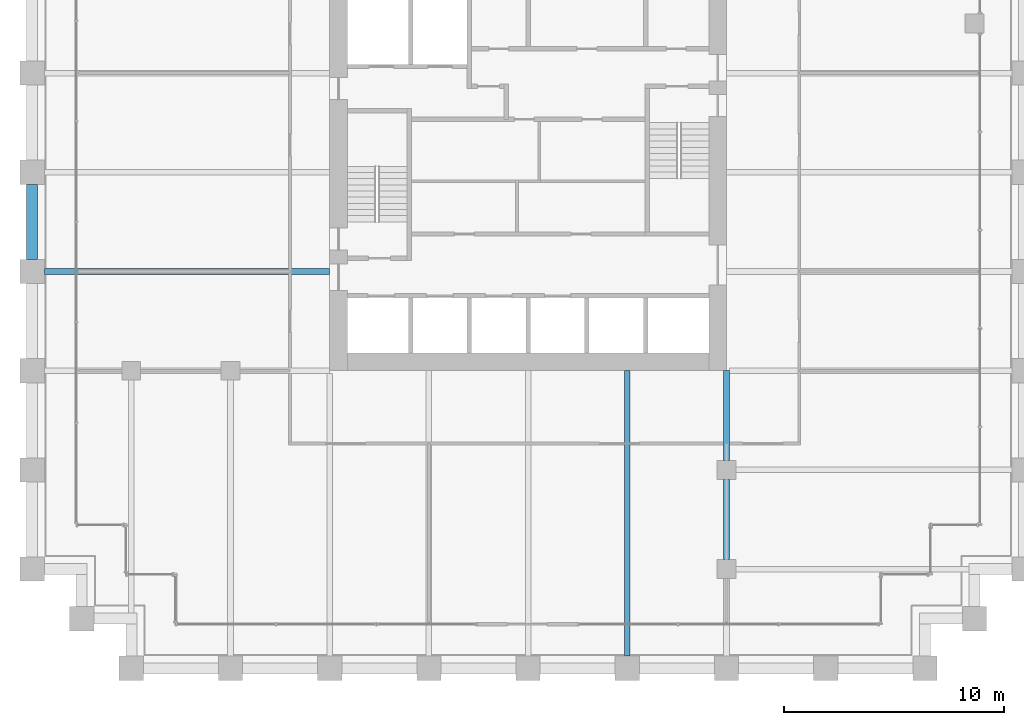
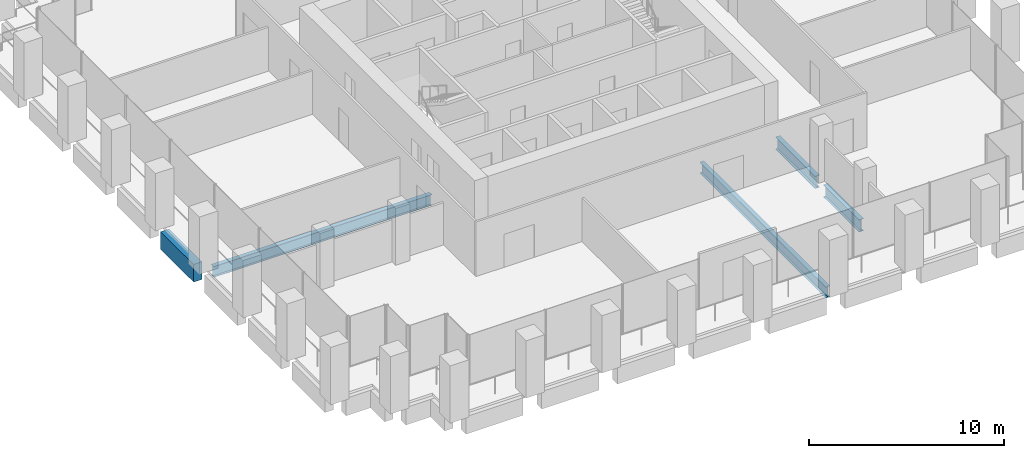
# One storey, part 10 of 56: 5 beams.
"""IFC4 building model written with IfcOpenShell, lengths in metres."""

from ifc_helpers import new_model, si_unit, direction, frame, origin, origin_2d, place, context, subcontext, project, spatial, rectangle, i_section, extrude, material, material_profile, profile_set, type_object, element, save


model = new_model("IFC4")

# Units and contexts
model_context = context("Model", 3, precision=1e-05, world=origin(), true_north=direction((0.0, 1.0)))
body_context = subcontext(model_context, "Body", "Model", "MODEL_VIEW")
ifc_project = project(units=[si_unit("LENGTHUNIT", "METRE"), si_unit("AREAUNIT", "SQUARE_METRE"), si_unit("VOLUMEUNIT", "CUBIC_METRE"), si_unit("PLANEANGLEUNIT", "RADIAN"), si_unit("MASSUNIT", "GRAM", prefix="KILO")], contexts=[model_context])

# Site, building, storey
site_placement = place(None, origin())
site = spatial("IfcSite", under=ifc_project, at=site_placement, CompositionType="ELEMENT")
building_placement = place(site_placement, origin())
building = spatial("IfcBuilding", under=site, at=building_placement, Name="Altepetl Exchange Towers", CompositionType="ELEMENT")
storey_placement = place(building_placement, frame((0.0, 0.0, 79.800048828125)))
storey = spatial("IfcBuildingStorey", under=building, at=storey_placement, Name="L19", CompositionType="ELEMENT", Elevation=79.800048828125)

# Beams
ifc_material_1 = material(Name="Steel S355", Category="steel")
ifc_material_profile_1 = material_profile(ifc_material_1, i_section(OverallWidth=0.25390625, OverallDepth=0.68408203125, WebThickness=0.012451171875, FlangeThickness=0.018798828125, at=origin_2d()), Name="W27X94")
ifc_profile_set_1 = profile_set([ifc_material_profile_1], Name="Steel S355")
beam_type_1 = type_object("IfcBeamType", Name="Floor beam W27X94", PredefinedType="BEAM", material=ifc_profile_set_1)
for number, where, z_axis, x_axis, name in (
    (1, (54.0, 27.550048828125, -0.491943359375), (0.0, 1.0, 0.0), (-1.0, 0.0, 0.0), "bm:A:L19:017"),
    (2, (27.550048828125, 45.0, -0.491943359375), (1.0, 0.0, 0.0), (0.0, 1.0, 0.0), "bm:A:L19:018"),
):
    element("IfcBeam", number, at=place(storey_placement, frame(where, z_axis=z_axis, x_axis=x_axis)), inside=storey, type_object=beam_type_1, Name=name, PredefinedType="BEAM", context=body_context, shape_type="SweptSolid", body=[
        extrude(i_section(OverallWidth=0.25390625, OverallDepth=0.68408203125, WebThickness=0.012451171875, FlangeThickness=0.018798828125, at=origin_2d()), origin(), (0.0, 0.0, 1.0), 12.949951171875),
    ])
ifc_material_profile_2 = material_profile(ifc_material_1, i_section(OverallWidth=0.26806640625, OverallDepth=0.77392578125, WebThickness=0.015380859375, FlangeThickness=0.025390625, at=origin_2d()), Name="W30X132")
ifc_profile_set_2 = profile_set([ifc_material_profile_2], Name="Steel S355")
beam_type_2 = type_object("IfcBeamType", Name="Girder W30X132", PredefinedType="BEAM", material=ifc_profile_set_2)
beam_1_placement = place(storey_placement, frame((58.5, 40.5, -0.537109375), z_axis=(0.0, -1.0, 0.0), x_axis=(1.0, 0.0, 0.0)))
element("IfcBeam", 3, at=beam_1_placement, inside=storey, type_object=beam_type_2, Name="gd:A:L19:006", PredefinedType="BEAM", context=body_context, shape_type="SweptSolid", body=[
    extrude(i_section(OverallWidth=0.26806640625, OverallDepth=0.77392578125, WebThickness=0.015380859375, FlangeThickness=0.025390625, at=origin_2d()), origin(), (0.0, 0.0, 1.0), 4.074951171875),
])
beam_2_placement = place(storey_placement, frame((58.5, 35.574951171875, -0.537109375), z_axis=(0.0, -1.0, 0.0), x_axis=(1.0, 0.0, 0.0)))
element("IfcBeam", 4, at=beam_2_placement, inside=storey, type_object=beam_type_2, Name="gd:A:L19:007", PredefinedType="BEAM", context=body_context, shape_type="SweptSolid", body=[
    extrude(i_section(OverallWidth=0.26806640625, OverallDepth=0.77392578125, WebThickness=0.015380859375, FlangeThickness=0.025390625, at=origin_2d()), origin(), (0.0, 0.0, 1.0), 3.64990234375),
])
ifc_material_2 = material(Name="Concrete C50/60 precast with tezontle facing", Category="concrete")
ifc_material_profile_3 = material_profile(ifc_material_2, rectangle(XDim=0.5, YDim=1.10009765625, at=origin_2d()), Name="500 x 1100")
ifc_profile_set_3 = profile_set([ifc_material_profile_3], Name="Concrete C50/60 precast with tezontle facing")
beam_type_3 = type_object("IfcBeamType", Name="Spandrel beam 500x1100 tezontle", PredefinedType="SPANDREL", material=ifc_profile_set_3)
beam_3_placement = place(storey_placement, frame((27.0, 48.949951171875, -0.699951171875), z_axis=(0.0, -1.0, 0.0), x_axis=(1.0, 0.0, 0.0)))
element("IfcBeam", 5, at=beam_3_placement, inside=storey, type_object=beam_type_3, Name="sp:A:L19:040", PredefinedType="SPANDREL", context=body_context, shape_type="SweptSolid", body=[
    extrude(rectangle(XDim=0.5, YDim=1.10009765625, at=origin_2d()), origin(), (0.0, 0.0, 1.0), 3.39990234375),
])

save(model, "model.ifc")
